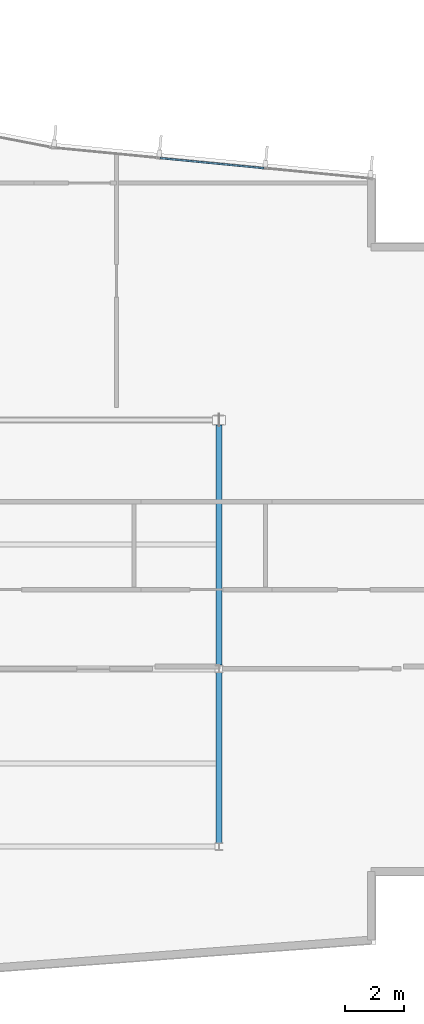
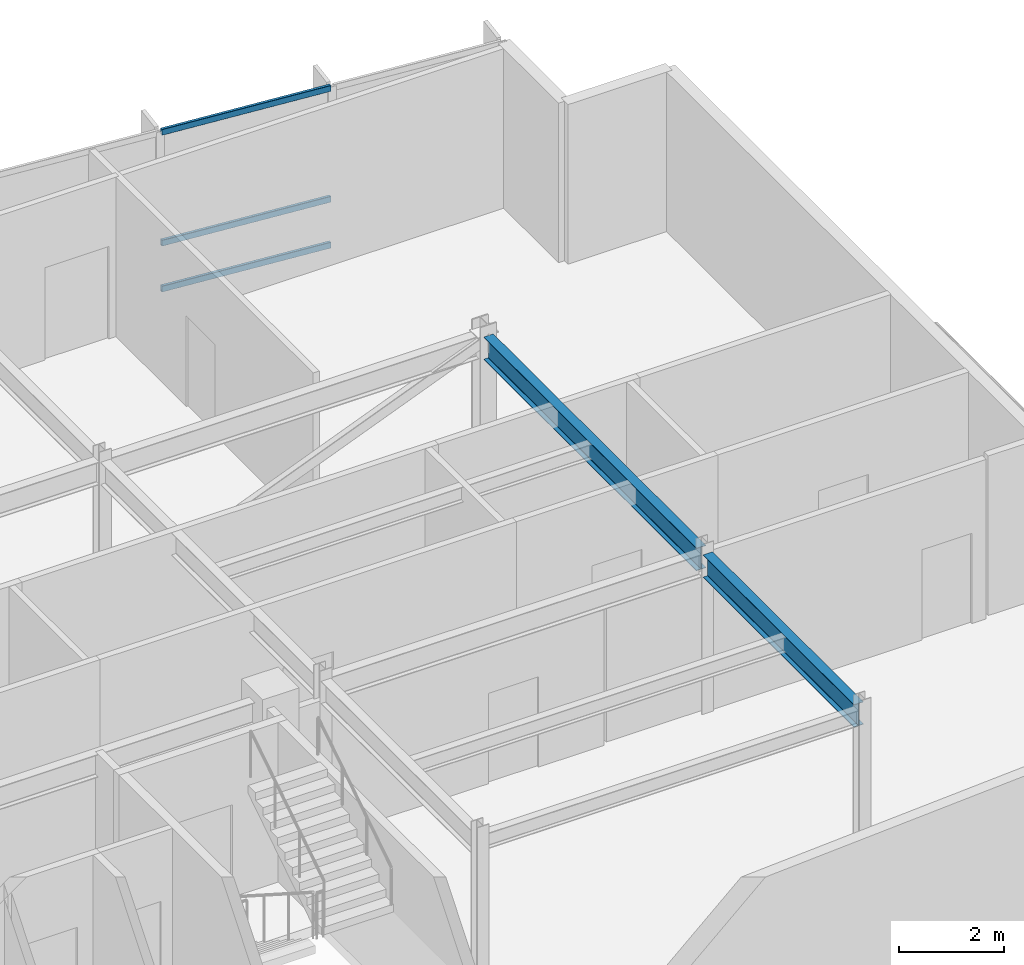
# One storey, part 7 of 16: 3 members, 2 beams, 1 element without a shape of its own.
"""IFC4 building model written with IfcOpenShell, lengths in metres."""

from ifc_helpers import new_model, si_unit, direction, frame, origin, origin_2d, place, context, subcontext, project, spatial, hollow_rectangle, i_section, extrude, material, layer, layer_set, material_profile, profile_set, type_object, element, aggregate, save


model = new_model("IFC4")

# Units and contexts
model_context = context("Model", 3, precision=1e-05, world=origin(), true_north=direction((0.0, 1.0)))
body_context = subcontext(model_context, "Body", "Model", "MODEL_VIEW")
ifc_project = project(units=[si_unit("LENGTHUNIT", "METRE"), si_unit("AREAUNIT", "SQUARE_METRE"), si_unit("VOLUMEUNIT", "CUBIC_METRE"), si_unit("PLANEANGLEUNIT", "RADIAN"), si_unit("MASSUNIT", "GRAM", prefix="KILO")], contexts=[model_context])

# Site, building, storey
site_placement = place(None, origin())
site = spatial("IfcSite", under=ifc_project, at=site_placement, CompositionType="ELEMENT")
building_placement = place(site_placement, origin())
building = spatial("IfcBuilding", under=site, at=building_placement, Name="Varnakote Quay Hospital", CompositionType="ELEMENT")
storey_placement = place(building_placement, frame((0.0, 0.0, 272.35009765625)))
storey = spatial("IfcBuildingStorey", under=building, at=storey_placement, Name="L67", CompositionType="ELEMENT", Elevation=272.35009765625)

# Beams
ifc_material_1 = material(Name="Structural steel AS/NZS 3679.1 Grade 350 L0 (fy 340 MPa)", Category="steel")
ifc_material_profile_1 = material_profile(ifc_material_1, i_section(OverallWidth=0.208984375, OverallDepth=0.528076171875, WebThickness=0.009521484375, FlangeThickness=0.01318359375, FilletRadius=0.013916015625, at=origin_2d()), Name="530UB82.0")
ifc_profile_set_1 = profile_set([ifc_material_profile_1], Name="Structural steel AS/NZS 3679.1 Grade 350 L0 (fy 340 MPa)")
beam_type = type_object("IfcBeamType", Name="BM-STL-530UB82-0", PredefinedType="BEAM", material=ifc_profile_set_1)
beam_1_placement = place(storey_placement, frame((33.60009765625, 6.126953125, 3.44580078125), z_axis=(0.0, 1.0, 0.0), x_axis=(-1.0, 0.0, 0.0)))
element("IfcBeam", 1, at=beam_1_placement, inside=storey, type_object=beam_type, Name="L67 Primary Tie Beam", PredefinedType="BEAM", context=body_context, shape_type="SweptSolid", body=[
    extrude(i_section(OverallWidth=0.208984375, OverallDepth=0.528076171875, WebThickness=0.009521484375, FlangeThickness=0.01318359375, FilletRadius=0.013916015625, at=origin_2d()), origin(), (0.0, 0.0, 1.0), 5.74609375),
])
beam_2_placement = place(storey_placement, frame((33.60009765625, 12.126953125, 3.44580078125), z_axis=(0.0, 1.0, 0.0), x_axis=(-1.0, 0.0, 0.0)))
element("IfcBeam", 2, at=beam_2_placement, inside=storey, type_object=beam_type, Name="L67 Primary Tie Beam", PredefinedType="BEAM", context=body_context, shape_type="SweptSolid", body=[
    extrude(i_section(OverallWidth=0.208984375, OverallDepth=0.528076171875, WebThickness=0.009521484375, FlangeThickness=0.01318359375, FilletRadius=0.013916015625, at=origin_2d()), origin(), (0.0, 0.0, 1.0), 8.10302734375),
])

# Curtain wall, members
ifc_material_2 = material(Name="Anodised aluminium 6063-T6 Bronze", Category="aluminium")
ifc_layer = layer(ifc_material_2, 0.235107421875)
ifc_layer_set = layer_set([ifc_layer], Name="Anodised aluminium 6063-T6 Bronze")
curtain_wall_type = type_object("IfcCurtainWallType", Name="CW-SYS-5", PredefinedType="NOTDEFINED", material=ifc_layer_set)
curtain_wall_placement = place(storey_placement, origin())
curtain_wall = element("IfcCurtainWall", 3, at=curtain_wall_placement, inside=storey, type_object=curtain_wall_type, Name="L67 Unitised Bronze Curtain Wall 1", PredefinedType="NOTDEFINED")
ifc_material_3 = material(Name="Anodised aluminium 6063-T6 Bronze", Category="aluminium")
ifc_material_profile_2 = material_profile(ifc_material_3, hollow_rectangle(XDim=0.06494140625, YDim=0.139892578125, WallThickness=0.00390625, InnerFilletRadius=0.00390625, OuterFilletRadius=0.007568359375, at=origin_2d()), Name="CW-TRAN-140x65")
ifc_profile_set_2 = profile_set([ifc_material_profile_2], Name="Anodised aluminium 6063-T6 Bronze")
member_type = type_object("IfcMemberType", Name="CW-TRAN-140x65", PredefinedType="USERDEFINED", material=ifc_profile_set_2)
member_1_placement = place(storey_placement, frame((35.125244140625, 28.905517578125, 0.032470703125), z_axis=(-0.99532562518, 0.09657587618, 0.0), x_axis=(-0.09657587618, -0.99532562518, 0.0)))
member_1 = element("IfcMember", 4, at=member_1_placement, type_object=member_type, Name="-5-L67-1 transom 2.1", ObjectType="TRANSOM", PredefinedType="USERDEFINED", context=body_context, shape_type="SweptSolid", body=[
    extrude(hollow_rectangle(XDim=0.06494140625, YDim=0.139892578125, WallThickness=0.00390625, InnerFilletRadius=0.00390625, OuterFilletRadius=0.007568359375, at=origin_2d()), origin(), (0.0, 0.0, 1.0), 3.5341796875),
])
member_2_placement = place(storey_placement, frame((35.125244140625, 28.905517578125, 1.099853515625), z_axis=(-0.99532562518, 0.09657587618, 0.0), x_axis=(-0.09657587618, -0.99532562518, 0.0)))
member_2 = element("IfcMember", 5, at=member_2_placement, type_object=member_type, Name="-5-L67-1 transom 2.2", ObjectType="TRANSOM", PredefinedType="USERDEFINED", context=body_context, shape_type="SweptSolid", body=[
    extrude(hollow_rectangle(XDim=0.06494140625, YDim=0.139892578125, WallThickness=0.00390625, InnerFilletRadius=0.00390625, OuterFilletRadius=0.007568359375, at=origin_2d()), origin(), (0.0, 0.0, 1.0), 3.5341796875),
])
member_3_placement = place(storey_placement, frame((35.125244140625, 28.905517578125, 3.677490234375), z_axis=(-0.99532562518, 0.09657587618, 0.0), x_axis=(-0.09657587618, -0.99532562518, 0.0)))
member_3 = element("IfcMember", 6, at=member_3_placement, type_object=member_type, Name="-5-L67-1 transom 2.3", ObjectType="TRANSOM", PredefinedType="USERDEFINED", context=body_context, shape_type="SweptSolid", body=[
    extrude(hollow_rectangle(XDim=0.06494140625, YDim=0.139892578125, WallThickness=0.00390625, InnerFilletRadius=0.00390625, OuterFilletRadius=0.007568359375, at=origin_2d()), origin(), (0.0, 0.0, 1.0), 3.5341796875),
])
aggregate(curtain_wall, [member_1, member_2, member_3])

save(model, "model.ifc")
